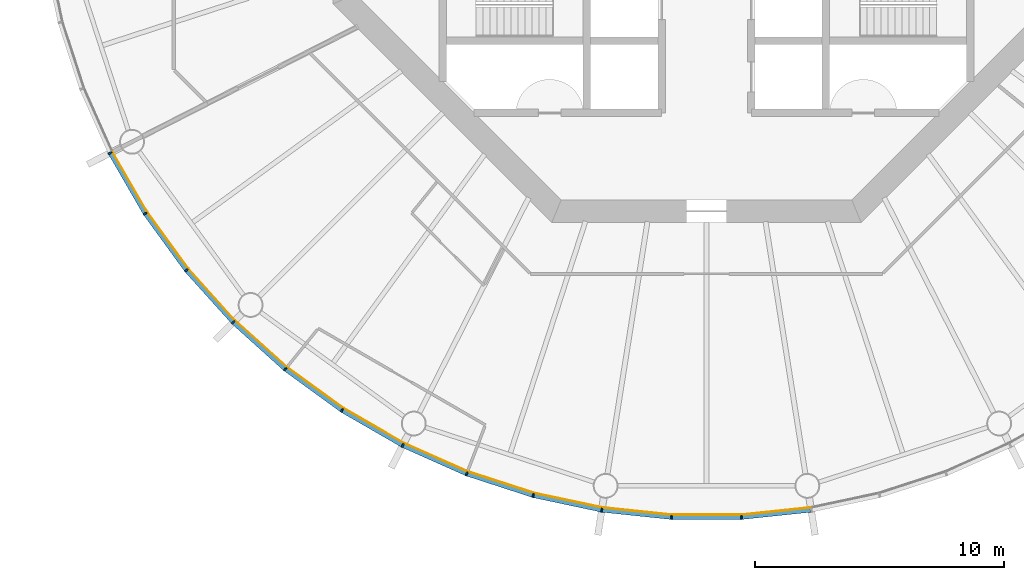
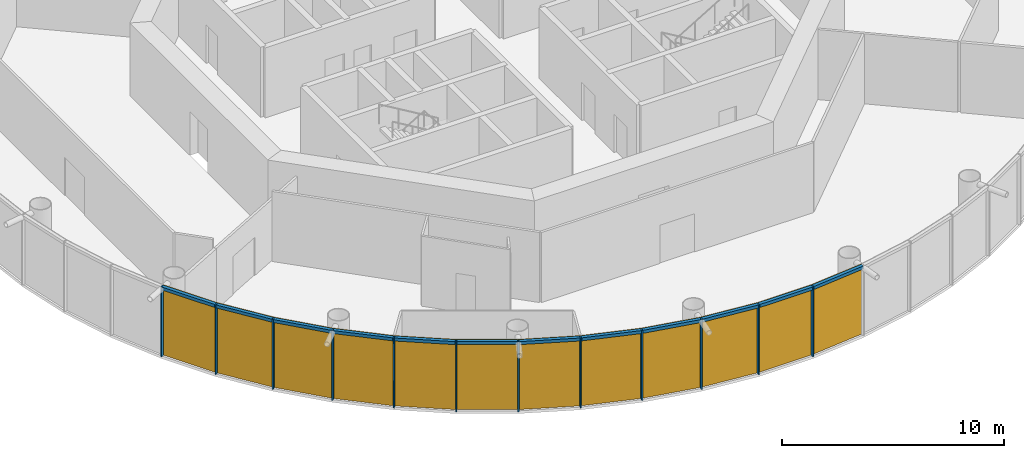
# One storey, part 6 of 12: 24 members, 4 curtain walls.
"""IFC4 building model written with IfcOpenShell, lengths in metres."""

from ifc_helpers import new_model, si_unit, direction, frame, origin, origin_2d, place, context, subcontext, project, spatial, polyline, rectangle, outline, extrude, material, layer, layer_set, material_profile, profile_set, type_object, element, aggregate, save


model = new_model("IFC4")

# Units and contexts
model_context = context("Model", 3, precision=1e-05, world=origin(), true_north=direction((0.0, 1.0)))
body_context = subcontext(model_context, "Body", "Model", "MODEL_VIEW")
ifc_project = project(units=[si_unit("LENGTHUNIT", "METRE"), si_unit("AREAUNIT", "SQUARE_METRE"), si_unit("VOLUMEUNIT", "CUBIC_METRE"), si_unit("PLANEANGLEUNIT", "RADIAN"), si_unit("MASSUNIT", "GRAM", prefix="KILO")], contexts=[model_context])

# Member
ifc_material_1 = material(Name="Anodised aluminium", Category="aluminium")
ifc_material_profile_1 = material_profile(ifc_material_1, rectangle(XDim=0.06005859375, YDim=0.169921875, at=origin_2d()), Name="Mullion 60 x 170 mm anodised aluminium")
ifc_profile_set_1 = profile_set([ifc_material_profile_1], Name="Anodised aluminium")
member_type_1 = type_object("IfcMemberType", Name="Mullion 60 x 170 mm anodised aluminium", PredefinedType="MULLION", material=ifc_profile_set_1)
site_placement = place(None, origin())
building_placement = place(site_placement, origin())
storey_placement = place(building_placement, frame((0.0, 0.0, 214.0)))
member_1_placement = place(storey_placement, frame((66.04541015625, 67.79443359375, 0.0), z_axis=(0.0, 0.0, 1.0), x_axis=(0.45399049974, -0.891006524188, 0.0)))
member_1 = element("IfcMember", 1, at=member_1_placement, type_object=member_type_1, Name="MULLION L49-33", PredefinedType="MULLION", context=body_context, shape_type="SweptSolid", body=[
    extrude(rectangle(XDim=0.06005859375, YDim=0.169921875, at=origin_2d()), origin(), (0.0, 0.0, 1.0), 3.85009765625),
])

member_2_placement = place(storey_placement, frame((67.452392578125, 65.357421875, 0.0), z_axis=(0.0, 0.0, 1.0), x_axis=(0.544639035015, -0.838670567945, 0.0)))
member_2 = element("IfcMember", 2, at=member_2_placement, type_object=member_type_1, Name="MULLION L49-34", PredefinedType="MULLION", context=body_context, shape_type="SweptSolid", body=[
    extrude(rectangle(XDim=0.06005859375, YDim=0.169921875, at=origin_2d()), origin(), (0.0, 0.0, 1.0), 3.85009765625),
])

member_3_placement = place(storey_placement, frame((69.1064453125, 63.080810546875, 0.0), z_axis=(0.0, 0.0, 1.0), x_axis=(0.62932039105, -0.777145961457, 0.0)))
member_3 = element("IfcMember", 3, at=member_3_placement, type_object=member_type_1, Name="MULLION L49-35", PredefinedType="MULLION", context=body_context, shape_type="SweptSolid", body=[
    extrude(rectangle(XDim=0.06005859375, YDim=0.169921875, at=origin_2d()), origin(), (0.0, 0.0, 1.0), 3.85009765625),
])

member_4_placement = place(storey_placement, frame((70.989501953125, 60.989501953125, 0.0), z_axis=(0.0, 0.0, 1.0), x_axis=(0.707106781187, -0.707106781187, 0.0)))
member_4 = element("IfcMember", 4, at=member_4_placement, type_object=member_type_1, Name="MULLION L49-36", PredefinedType="MULLION", context=body_context, shape_type="SweptSolid", body=[
    extrude(rectangle(XDim=0.06005859375, YDim=0.169921875, at=origin_2d()), origin(), (0.0, 0.0, 1.0), 3.85009765625),
])

member_5_placement = place(storey_placement, frame((73.080810546875, 59.1064453125, 0.0), z_axis=(0.0, 0.0, 1.0), x_axis=(0.777145961457, -0.62932039105, 0.0)))
member_5 = element("IfcMember", 5, at=member_5_placement, type_object=member_type_1, Name="MULLION L49-37", PredefinedType="MULLION", context=body_context, shape_type="SweptSolid", body=[
    extrude(rectangle(XDim=0.06005859375, YDim=0.169921875, at=origin_2d()), origin(), (0.0, 0.0, 1.0), 3.85009765625),
])

member_6_placement = place(storey_placement, frame((75.357421875, 57.452392578125, 0.0), z_axis=(0.0, 0.0, 1.0), x_axis=(0.838670567945, -0.544639035015, 0.0)))
member_6 = element("IfcMember", 6, at=member_6_placement, type_object=member_type_1, Name="MULLION L49-38", PredefinedType="MULLION", context=body_context, shape_type="SweptSolid", body=[
    extrude(rectangle(XDim=0.06005859375, YDim=0.169921875, at=origin_2d()), origin(), (0.0, 0.0, 1.0), 3.85009765625),
])

member_7_placement = place(storey_placement, frame((77.79443359375, 56.04541015625, 0.0), z_axis=(0.0, 0.0, 1.0), x_axis=(0.891006524188, -0.45399049974, 0.0)))
member_7 = element("IfcMember", 7, at=member_7_placement, type_object=member_type_1, Name="MULLION L49-39", PredefinedType="MULLION", context=body_context, shape_type="SweptSolid", body=[
    extrude(rectangle(XDim=0.06005859375, YDim=0.169921875, at=origin_2d()), origin(), (0.0, 0.0, 1.0), 3.85009765625),
])

member_8_placement = place(storey_placement, frame((80.365234375, 54.900634765625, 0.0), z_axis=(0.0, 0.0, 1.0), x_axis=(0.933580426497, -0.358367949545, 0.0)))
member_8 = element("IfcMember", 8, at=member_8_placement, type_object=member_type_1, Name="MULLION L49-40", PredefinedType="MULLION", context=body_context, shape_type="SweptSolid", body=[
    extrude(rectangle(XDim=0.06005859375, YDim=0.169921875, at=origin_2d()), origin(), (0.0, 0.0, 1.0), 3.85009765625),
])

member_9_placement = place(storey_placement, frame((83.041748046875, 54.031005859375, 0.0), z_axis=(0.0, 0.0, 1.0), x_axis=(0.965925826289, -0.258819045103, 0.0)))
member_9 = element("IfcMember", 9, at=member_9_placement, type_object=member_type_1, Name="MULLION L49-41", PredefinedType="MULLION", context=body_context, shape_type="SweptSolid", body=[
    extrude(rectangle(XDim=0.06005859375, YDim=0.169921875, at=origin_2d()), origin(), (0.0, 0.0, 1.0), 3.85009765625),
])

member_10_placement = place(storey_placement, frame((85.794189453125, 53.446044921875, 0.0), z_axis=(0.0, 0.0, 1.0), x_axis=(0.987688340595, -0.15643446504, 0.0)))
member_10 = element("IfcMember", 10, at=member_10_placement, type_object=member_type_1, Name="MULLION L49-42", PredefinedType="MULLION", context=body_context, shape_type="SweptSolid", body=[
    extrude(rectangle(XDim=0.06005859375, YDim=0.169921875, at=origin_2d()), origin(), (0.0, 0.0, 1.0), 3.85009765625),
])

member_11_placement = place(storey_placement, frame((88.593017578125, 53.15185546875, 0.0), z_axis=(0.0, 0.0, 1.0), x_axis=(0.998629534755, -0.052335956243, 0.0)))
member_11 = element("IfcMember", 11, at=member_11_placement, type_object=member_type_1, Name="MULLION L49-43", PredefinedType="MULLION", context=body_context, shape_type="SweptSolid", body=[
    extrude(rectangle(XDim=0.06005859375, YDim=0.169921875, at=origin_2d()), origin(), (0.0, 0.0, 1.0), 3.85009765625),
])

member_12_placement = place(storey_placement, frame((91.406982421875, 53.15185546875, 0.0), z_axis=(0.0, 0.0, 1.0), x_axis=(0.998629534755, 0.052335956243, 0.0)))
member_12 = element("IfcMember", 12, at=member_12_placement, type_object=member_type_1, Name="MULLION L49-44", PredefinedType="MULLION", context=body_context, shape_type="SweptSolid", body=[
    extrude(rectangle(XDim=0.06005859375, YDim=0.169921875, at=origin_2d()), origin(), (0.0, 0.0, 1.0), 3.85009765625),
])

ifc_material_2 = material(Name="Anodised aluminium", Category="aluminium")
ifc_material_profile_2 = material_profile(ifc_material_2, rectangle(XDim=0.169921875, YDim=0.1650390625, at=origin_2d()), Name="Transom 165 x 170 mm anodised aluminium")
ifc_profile_set_2 = profile_set([ifc_material_profile_2], Name="Anodised aluminium")
member_type_2 = type_object("IfcMemberType", Name="Transom 165 x 170 mm anodised aluminium", PredefinedType="USERDEFINED", material=ifc_profile_set_2)
member_13_placement = place(storey_placement, frame((66.0625, 67.7646484375, 3.767578125), z_axis=(0.49998419723, -0.866034527326, 0.0), x_axis=(0.866034527326, 0.49998419723, 0.0)))
member_13 = element("IfcMember", 13, at=member_13_placement, type_object=member_type_2, Name="TRANSOM L49-33", ObjectType="TRANSOM", PredefinedType="USERDEFINED", context=body_context, shape_type="SweptSolid", body=[
    extrude(rectangle(XDim=0.169921875, YDim=0.1650390625, at=origin_2d()), origin(), (0.0, 0.0, 1.0), 2.7451171875),
])

member_14_placement = place(storey_placement, frame((67.472412109375, 65.329345703125, 3.767578125), z_axis=(0.587864947412, -0.808959086484, 0.0), x_axis=(0.808959086484, 0.587864947412, 0.0)))
member_14 = element("IfcMember", 14, at=member_14_placement, type_object=member_type_2, Name="TRANSOM L49-34", ObjectType="TRANSOM", PredefinedType="USERDEFINED", context=body_context, shape_type="SweptSolid", body=[
    extrude(rectangle(XDim=0.169921875, YDim=0.1650390625, at=origin_2d()), origin(), (0.0, 0.0, 1.0), 2.7451171875),
])

member_15_placement = place(storey_placement, frame((69.12939453125, 63.054931640625, 3.767578125), z_axis=(0.669141598561, -0.743134927907, 0.0), x_axis=(0.743134927907, 0.669141598561, 0.0)))
member_15 = element("IfcMember", 15, at=member_15_placement, type_object=member_type_2, Name="TRANSOM L49-35", ObjectType="TRANSOM", PredefinedType="USERDEFINED", context=body_context, shape_type="SweptSolid", body=[
    extrude(rectangle(XDim=0.169921875, YDim=0.1650390625, at=origin_2d()), origin(), (0.0, 0.0, 1.0), 2.7451171875),
])

member_16_placement = place(storey_placement, frame((71.014892578125, 60.96630859375, 3.767578125), z_axis=(0.743134927907, -0.669141598561, 0.0), x_axis=(0.669141598561, 0.743134927907, 0.0)))
member_16 = element("IfcMember", 16, at=member_16_placement, type_object=member_type_2, Name="TRANSOM L49-36", ObjectType="TRANSOM", PredefinedType="USERDEFINED", context=body_context, shape_type="SweptSolid", body=[
    extrude(rectangle(XDim=0.169921875, YDim=0.1650390625, at=origin_2d()), origin(), (0.0, 0.0, 1.0), 2.7451171875),
])

member_17_placement = place(storey_placement, frame((73.108642578125, 59.086181640625, 3.767578125), z_axis=(0.808959086484, -0.587864947412, 0.0), x_axis=(0.587864947412, 0.808959086484, 0.0)))
member_17 = element("IfcMember", 17, at=member_17_placement, type_object=member_type_2, Name="TRANSOM L49-37", ObjectType="TRANSOM", PredefinedType="USERDEFINED", context=body_context, shape_type="SweptSolid", body=[
    extrude(rectangle(XDim=0.169921875, YDim=0.1650390625, at=origin_2d()), origin(), (0.0, 0.0, 1.0), 2.7451171875),
])

member_18_placement = place(storey_placement, frame((75.38720703125, 57.43505859375, 3.767578125), z_axis=(0.866034527326, -0.49998419723, 0.0), x_axis=(0.49998419723, 0.866034527326, 0.0)))
member_18 = element("IfcMember", 18, at=member_18_placement, type_object=member_type_2, Name="TRANSOM L49-38", ObjectType="TRANSOM", PredefinedType="USERDEFINED", context=body_context, shape_type="SweptSolid", body=[
    extrude(rectangle(XDim=0.169921875, YDim=0.1650390625, at=origin_2d()), origin(), (0.0, 0.0, 1.0), 2.7451171875),
])

member_19_placement = place(storey_placement, frame((77.825927734375, 56.03125, 3.767578125), z_axis=(0.913525267704, -0.406781987391, 0.0), x_axis=(0.406781987391, 0.913525267704, 0.0)))
member_19 = element("IfcMember", 19, at=member_19_placement, type_object=member_type_2, Name="TRANSOM L49-39", ObjectType="TRANSOM", PredefinedType="USERDEFINED", context=body_context, shape_type="SweptSolid", body=[
    extrude(rectangle(XDim=0.169921875, YDim=0.1650390625, at=origin_2d()), origin(), (0.0, 0.0, 1.0), 2.7451171875),
])

member_20_placement = place(storey_placement, frame((80.39794921875, 54.889892578125, 3.767578125), z_axis=(0.951048445774, -0.309041831781, 0.0), x_axis=(0.309041831781, 0.951048445774, 0.0)))
member_20 = element("IfcMember", 20, at=member_20_placement, type_object=member_type_2, Name="TRANSOM L49-40", ObjectType="TRANSOM", PredefinedType="USERDEFINED", context=body_context, shape_type="SweptSolid", body=[
    extrude(rectangle(XDim=0.169921875, YDim=0.1650390625, at=origin_2d()), origin(), (0.0, 0.0, 1.0), 2.7451171875),
])

member_21_placement = place(storey_placement, frame((83.075439453125, 54.02392578125, 3.767578125), z_axis=(0.97814212115, -0.207937468562, 0.0), x_axis=(0.207937468562, 0.97814212115, 0.0)))
member_21 = element("IfcMember", 21, at=member_21_placement, type_object=member_type_2, Name="TRANSOM L49-41", ObjectType="TRANSOM", PredefinedType="USERDEFINED", context=body_context, shape_type="SweptSolid", body=[
    extrude(rectangle(XDim=0.169921875, YDim=0.1650390625, at=origin_2d()), origin(), (0.0, 0.0, 1.0), 2.7451171875),
])

member_22_placement = place(storey_placement, frame((85.82861328125, 53.4423828125, 3.767578125), z_axis=(0.994515195344, -0.104592190102, 0.0), x_axis=(0.104592190102, 0.994515195344, 0.0)))
member_22 = element("IfcMember", 22, at=member_22_placement, type_object=member_type_2, Name="TRANSOM L49-42", ObjectType="TRANSOM", PredefinedType="USERDEFINED", context=body_context, shape_type="SweptSolid", body=[
    extrude(rectangle(XDim=0.169921875, YDim=0.1650390625, at=origin_2d()), origin(), (0.0, 0.0, 1.0), 2.7451171875),
])

member_23_placement = place(storey_placement, frame((88.62744140625, 53.151611328125, 3.767578125), z_axis=(1.0, 0.0, 0.0), x_axis=(0.0, 1.0, 0.0)))
member_23 = element("IfcMember", 23, at=member_23_placement, type_object=member_type_2, Name="TRANSOM L49-43", ObjectType="TRANSOM", PredefinedType="USERDEFINED", context=body_context, shape_type="SweptSolid", body=[
    extrude(rectangle(XDim=0.169921875, YDim=0.1650390625, at=origin_2d()), origin(), (0.0, 0.0, 1.0), 2.7451171875),
])

member_24_placement = place(storey_placement, frame((91.44140625, 53.1552734375, 3.767578125), z_axis=(0.994515195344, 0.104592190102, 0.0), x_axis=(-0.104592190102, 0.994515195344, 0.0)))
member_24 = element("IfcMember", 24, at=member_24_placement, type_object=member_type_2, Name="TRANSOM L49-44", ObjectType="TRANSOM", PredefinedType="USERDEFINED", context=body_context, shape_type="SweptSolid", body=[
    extrude(rectangle(XDim=0.169921875, YDim=0.1650390625, at=origin_2d()), origin(), (0.0, 0.0, 1.0), 2.7451171875),
])

# Site, building, storey
site = spatial("IfcSite", under=ifc_project, at=site_placement, CompositionType="ELEMENT")
building = spatial("IfcBuilding", under=site, at=building_placement, Name="Entoto Ring Tower", CompositionType="ELEMENT")
storey = spatial("IfcBuildingStorey", under=building, at=storey_placement, Name="L49", CompositionType="ELEMENT", Elevation=214.0)

# Curtain wall
ifc_material_3 = material(Name="Clear low-iron glass", Category="glass")
ifc_layer = layer(ifc_material_3, 0.031982421875)
ifc_layer_set = layer_set([ifc_layer], Name="Clear low-iron glass")
curtain_wall_type = type_object("IfcCurtainWallType", Name="Curtain wall system CW4 glazing 32 mm", PredefinedType="NOTDEFINED", material=ifc_layer_set)
curtain_wall_1_placement = place(storey_placement, origin())
curtain_wall_1 = element("IfcCurtainWall", 25, at=curtain_wall_1_placement, inside=storey, type_object=curtain_wall_type, Name="CW4 L49-12", PredefinedType="NOTDEFINED", context=body_context, shape_type="SweptSolid", body=[
    extrude(outline(polyline([(66.12109375, 67.8330078125), (67.523681640625, 65.403564453125), (69.172607421875, 63.13427734375), (71.049560546875, 61.049560546875), (71.072265625, 61.072265625), (69.197509765625, 63.154296875), (67.550537109375, 65.421142578125), (66.149658203125, 67.84765625), (66.12109375, 67.8330078125)])), origin(), (0.0, 0.0, 1.0), 3.85009765625),
])

aggregate(curtain_wall_1, [member_1, member_2, member_3, member_13, member_14, member_15])

curtain_wall_2_placement = place(storey_placement, origin())
curtain_wall_2 = element("IfcCurtainWall", 26, at=curtain_wall_2_placement, inside=storey, type_object=curtain_wall_type, Name="CW4 L49-13", PredefinedType="NOTDEFINED", context=body_context, shape_type="SweptSolid", body=[
    extrude(outline(polyline([(71.049560546875, 61.049560546875), (73.13427734375, 59.172607421875), (75.403564453125, 57.523681640625), (77.8330078125, 56.12109375), (77.84765625, 56.149658203125), (75.421142578125, 57.550537109375), (73.154296875, 59.197509765625), (71.072265625, 61.072265625), (71.049560546875, 61.049560546875)])), origin(), (0.0, 0.0, 1.0), 3.85009765625),
])

aggregate(curtain_wall_2, [member_4, member_5, member_6, member_16, member_17, member_18])

curtain_wall_3_placement = place(storey_placement, origin())
curtain_wall_3 = element("IfcCurtainWall", 27, at=curtain_wall_3_placement, inside=storey, type_object=curtain_wall_type, Name="CW4 L49-14", PredefinedType="NOTDEFINED", context=body_context, shape_type="SweptSolid", body=[
    extrude(outline(polyline([(77.8330078125, 56.12109375), (80.395751953125, 54.97998046875), (83.063720703125, 54.11328125), (85.8076171875, 53.530029296875), (85.8125, 53.5615234375), (83.072021484375, 54.14404296875), (80.4072265625, 55.010009765625), (77.84765625, 56.149658203125), (77.8330078125, 56.12109375)])), origin(), (0.0, 0.0, 1.0), 3.85009765625),
])

aggregate(curtain_wall_3, [member_7, member_8, member_9, member_19, member_20, member_21])

curtain_wall_4_placement = place(storey_placement, origin())
curtain_wall_4 = element("IfcCurtainWall", 28, at=curtain_wall_4_placement, inside=storey, type_object=curtain_wall_type, Name="CW4 L49-15", PredefinedType="NOTDEFINED", context=body_context, shape_type="SweptSolid", body=[
    extrude(outline(polyline([(85.8076171875, 53.530029296875), (88.597412109375, 53.23681640625), (91.402587890625, 53.23681640625), (94.1923828125, 53.530029296875), (94.1875, 53.5615234375), (91.40087890625, 53.268798828125), (88.59912109375, 53.268798828125), (85.8125, 53.5615234375), (85.8076171875, 53.530029296875)])), origin(), (0.0, 0.0, 1.0), 3.85009765625),
])

aggregate(curtain_wall_4, [member_10, member_11, member_12, member_22, member_23, member_24])

save(model, "model.ifc")
